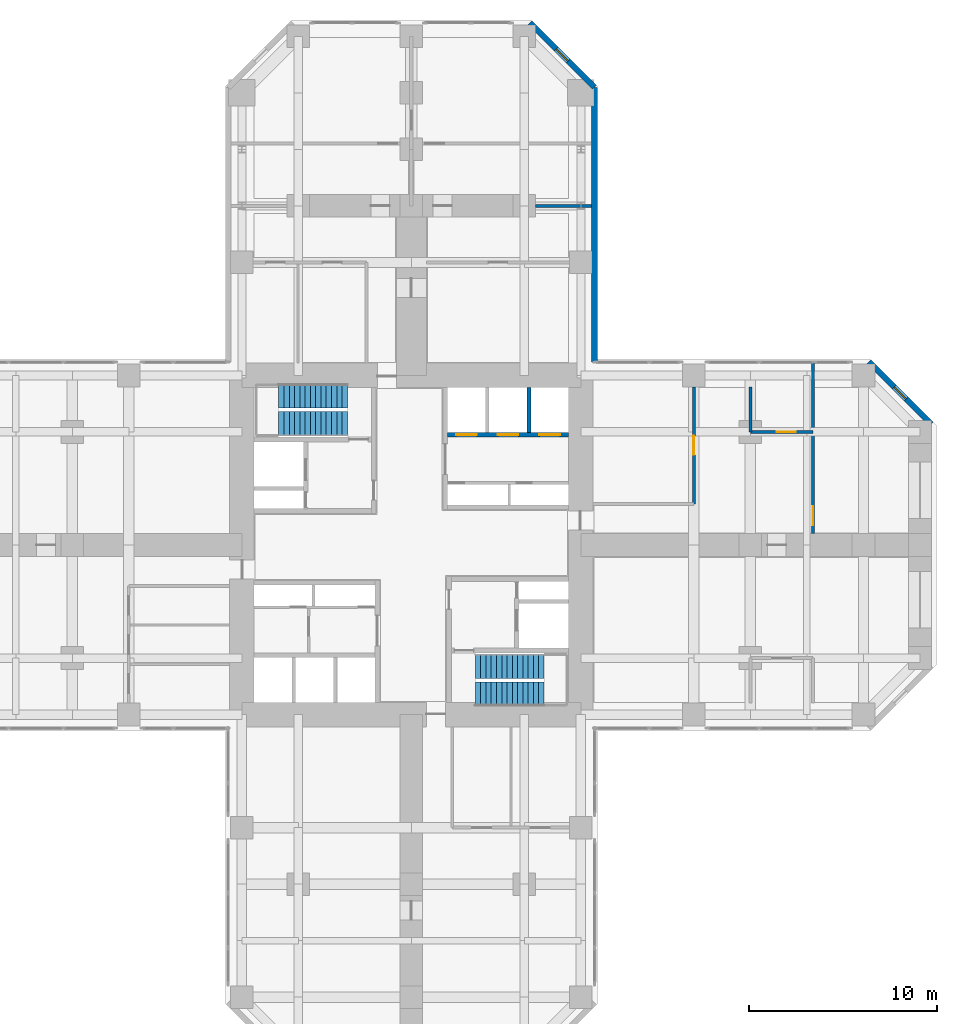
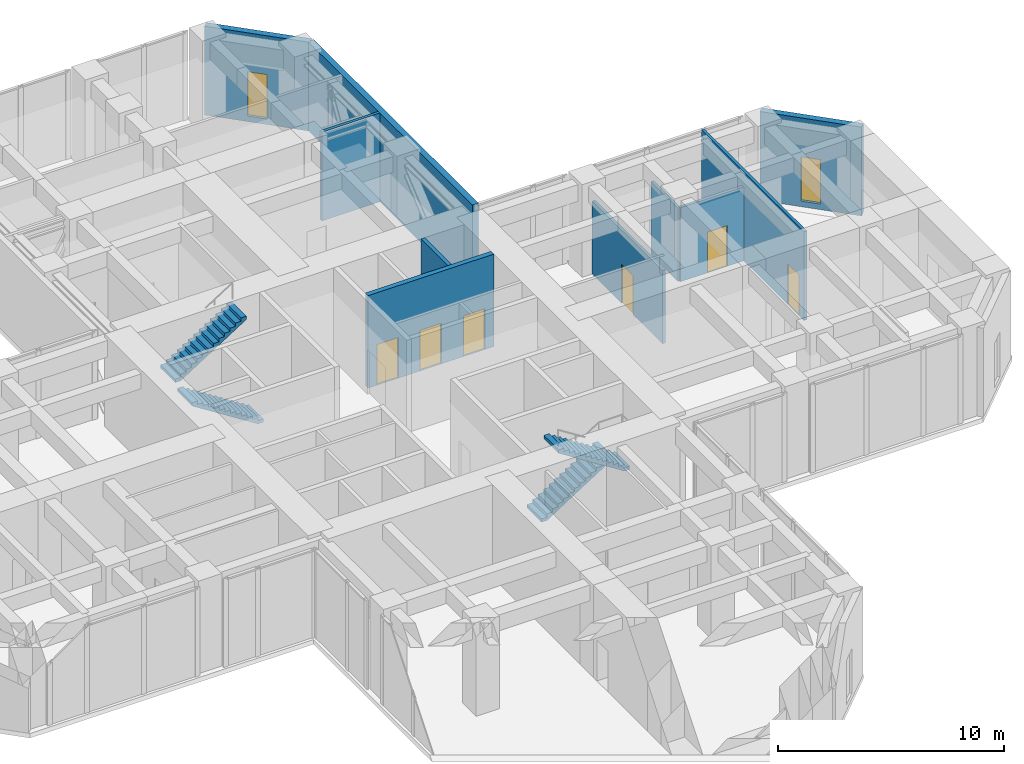
# One storey, part 10 of 11: 10 walls, 6 doors, 4 stair flights, 2 windows, 8 openings, 2 elements without a shape of their own.
"""IFC4 building model written with IfcOpenShell, lengths in metres."""

from ifc_helpers import new_model, si_unit, direction, frame, frame_2d, origin, place, context, subcontext, project, spatial, polyline, rectangle, hollow_rectangle, outline, extrude, material, layer, layer_set, constituent, constituent_set, type_object, element, fill, aggregate, save


model = new_model("IFC4")

# Units and contexts
model_context = context("Model", 3, precision=1e-05, world=origin(), true_north=direction((0.0, 1.0)))
body_context = subcontext(model_context, "Body", "Model", "MODEL_VIEW")
ifc_project = project(units=[si_unit("LENGTHUNIT", "METRE"), si_unit("AREAUNIT", "SQUARE_METRE"), si_unit("VOLUMEUNIT", "CUBIC_METRE"), si_unit("PLANEANGLEUNIT", "RADIAN"), si_unit("MASSUNIT", "GRAM", prefix="KILO")], contexts=[model_context])

# Site, building, storey
site_placement = place(None, origin())
site = spatial("IfcSite", under=ifc_project, at=site_placement, CompositionType="ELEMENT")
building_placement = place(site_placement, origin())
building = spatial("IfcBuilding", under=site, at=building_placement, Name="Torre Cruceta", CompositionType="ELEMENT")
storey_placement = place(building_placement, frame((0.0, 0.0, 95.5)))
storey = spatial("IfcBuildingStorey", under=building, at=storey_placement, Name="L23", CompositionType="ELEMENT", Elevation=95.5)

# Wall, openings, doors
ifc_material_1 = material(Name="Concrete G60 (fck 60 MPa)", Category="concrete")
ifc_layer_1 = layer(ifc_material_1, 0.25)
ifc_layer_set_1 = layer_set([ifc_layer_1], Name="Concrete G60 (fck 60 MPa)")
wall_type_1 = type_object("IfcWallType", Name="CORE INNER WALL 250 G60", PredefinedType="SHEAR", material=ifc_layer_set_1)
wall_1_placement = place(storey_placement, frame((1.925048828125, 5.85009765625, 0.0), z_axis=(0.0, 0.0, 1.0), x_axis=(1.0, 0.0, 0.0)))
wall_1 = element("IfcWall", 1, at=wall_1_placement, inside=storey, type_object=wall_type_1, Name="CW4 L23 NE-LV", PredefinedType="SHEAR", context=body_context, shape_type="SweptSolid", body=[
    extrude(rectangle(XDim=6.425048828125, YDim=0.25, at=frame_2d((3.21240234375, 0.0))), origin(), (0.0, 0.0, 1.0), 5.0),
])
opening_1_placement = place(wall_1_placement, frame((0.4541015625, 0.0, 0.0)))
opening_1 = element("IfcOpeningElement", 2, at=opening_1_placement, cuts=wall_1, Name="Opening LD1", PredefinedType="OPENING", context=body_context, shape_type="SweptSolid", body=[
    extrude(rectangle(XDim=1.10009765625, YDim=2.199951171875, at=frame_2d((0.550048828125, 1.10009765625))), frame((0.0, 0.135009765625, 0.0), z_axis=(0.0, -1.0, 0.0), x_axis=(1.0, 0.0, 0.0)), (0.0, 0.0, 1.0), 0.27001953125),
])
opening_2_placement = place(wall_1_placement, frame((2.66259765625, 0.0, 0.0)))
opening_2 = element("IfcOpeningElement", 3, at=opening_2_placement, cuts=wall_1, Name="Opening LD1", PredefinedType="OPENING", context=body_context, shape_type="SweptSolid", body=[
    extrude(rectangle(XDim=1.10009765625, YDim=2.199951171875, at=frame_2d((0.550048828125, 1.10009765625))), frame((0.0, 0.135009765625, 0.0), z_axis=(0.0, -1.0, 0.0), x_axis=(1.0, 0.0, 0.0)), (0.0, 0.0, 1.0), 0.27001953125),
])
opening_3_placement = place(wall_1_placement, frame((4.870849609375, 0.0, 0.0)))
opening_3 = element("IfcOpeningElement", 4, at=opening_3_placement, cuts=wall_1, Name="Opening LD1", PredefinedType="OPENING", context=body_context, shape_type="SweptSolid", body=[
    extrude(rectangle(XDim=1.10009765625, YDim=2.199951171875, at=frame_2d((0.550048828125, 1.10009765625))), frame((0.0, 0.135009765625, 0.0), z_axis=(0.0, -1.0, 0.0), x_axis=(1.0, 0.0, 0.0)), (0.0, 0.0, 1.0), 0.27001953125),
])
ifc_material_2 = material(Name="Stainless steel 1.4401", Category="steel")
door_type_1 = type_object("IfcDoorType", Name="LIFT LANDING DOOR 1100X2200", OperationType="DOUBLE_DOOR_SLIDING", PredefinedType="DOOR", material=ifc_material_2)
door_1_placement = place(opening_1_placement, origin())
door_1 = element("IfcDoor", 5, at=door_1_placement, inside=storey, type_object=door_type_1, Name="Lift landing door P1", OperationType="DOUBLE_DOOR_SLIDING", OverallHeight=2.199951171875, OverallWidth=1.10009765625, PredefinedType="DOOR", context=body_context, shape_type="SweptSolid", body=[
    extrude(rectangle(XDim=1.10009765625, YDim=2.199951171875, at=frame_2d((0.550048828125, 1.10009765625))), frame((0.0, 0.02490234375, 0.0), z_axis=(0.0, -1.0, 0.0), x_axis=(1.0, 0.0, 0.0)), (0.0, 0.0, 1.0), 0.050048828125),
])
fill(opening_1, door_1)
door_2_placement = place(opening_2_placement, origin())
door_2 = element("IfcDoor", 6, at=door_2_placement, inside=storey, type_object=door_type_1, Name="Lift landing door P2", OperationType="DOUBLE_DOOR_SLIDING", OverallHeight=2.199951171875, OverallWidth=1.10009765625, PredefinedType="DOOR", context=body_context, shape_type="SweptSolid", body=[
    extrude(rectangle(XDim=1.10009765625, YDim=2.199951171875, at=frame_2d((0.550048828125, 1.10009765625))), frame((0.0, 0.02490234375, 0.0), z_axis=(0.0, -1.0, 0.0), x_axis=(1.0, 0.0, 0.0)), (0.0, 0.0, 1.0), 0.050048828125),
])
fill(opening_2, door_2)
door_3_placement = place(opening_3_placement, origin())
door_3 = element("IfcDoor", 7, at=door_3_placement, inside=storey, type_object=door_type_1, Name="Lift landing door P3", OperationType="DOUBLE_DOOR_SLIDING", OverallHeight=2.199951171875, OverallWidth=1.10009765625, PredefinedType="DOOR", context=body_context, shape_type="SweptSolid", body=[
    extrude(rectangle(XDim=1.10009765625, YDim=2.199951171875, at=frame_2d((0.550048828125, 1.10009765625))), frame((0.0, 0.02490234375, 0.0), z_axis=(0.0, -1.0, 0.0), x_axis=(1.0, 0.0, 0.0)), (0.0, 0.0, 1.0), 0.050048828125),
])
fill(opening_3, door_3)

# Wall, opening, window
ifc_material_3 = material(Name="Concrete G30 (fck 30 MPa)", Category="concrete")
ifc_layer_2 = layer(ifc_material_3, 0.300048828125)
ifc_layer_set_2 = layer_set([ifc_layer_2], Name="Concrete G30 (fck 30 MPa)")
wall_type_2 = type_object("IfcWallType", Name="EXPOSED CONCRETE FACADE WALL 300", PredefinedType="SOLIDWALL", material=ifc_layer_set_2)
wall_2_placement = place(storey_placement, frame((27.60009765625, 6.418212890625, 0.0), z_axis=(0.0, 0.0, 1.0), x_axis=(-0.707106781187, 0.707106781187, 0.0)))
wall_2 = element("IfcWall", 8, at=wall_2_placement, inside=storey, type_object=wall_type_2, Name="EW1 facade wall L23 E chamfer 03", PredefinedType="SOLIDWALL", context=body_context, shape_type="SweptSolid", body=[
    extrude(rectangle(XDim=4.66943359375, YDim=0.300048828125, at=frame_2d((2.334716796875, 0.0))), origin(), (0.0, 0.0, 1.0), 4.800048828125),
])
opening_4_placement = place(wall_2_placement, frame((1.884765625, 0.0, 0.300048828125)))
opening_4 = element("IfcOpeningElement", 9, at=opening_4_placement, cuts=wall_2, Name="Opening WN5", PredefinedType="OPENING", context=body_context, shape_type="SweptSolid", body=[
    extrude(rectangle(XDim=0.89990234375, YDim=2.39990234375, at=frame_2d((0.449951171875, 1.199951171875))), frame((0.0, 0.159912109375, 0.0), z_axis=(0.0, -1.0, 0.0), x_axis=(1.0, 0.0, 0.0)), (0.0, 0.0, 1.0), 0.320068359375),
])
ifc_material_4 = material(Name="Aluminium window frame", Category="aluminium")
ifc_constituent_1 = constituent(ifc_material_4, Name="Frame")
ifc_material_5 = material(Name="Laminated insulating glass unit, low-iron clear", Category="glass")
ifc_constituent_2 = constituent(ifc_material_5, Name="Glazing")
ifc_constituent_set_1 = constituent_set(constituents=[ifc_constituent_1, ifc_constituent_2], Name="Aluminium window")
window_type = type_object("IfcWindowType", Name="CHAMFER SLOT WINDOW 900X2400", PartitioningType="SINGLE_PANEL", PredefinedType="WINDOW", material=ifc_constituent_set_1)
window_1_placement = place(opening_4_placement, origin())
window_1 = element("IfcWindow", 10, at=window_1_placement, inside=storey, type_object=window_type, Name="WN5 L23 E 1", OverallHeight=2.39990234375, OverallWidth=0.89990234375, PartitioningType="SINGLE_PANEL", PredefinedType="WINDOW", context=body_context, shape_type="SweptSolid", body=[
    extrude(hollow_rectangle(XDim=0.89990234375, YDim=2.39990234375, WallThickness=0.06005859375, at=frame_2d((0.449951171875, 1.199951171875))), frame((0.0, 0.030029296875, 0.0), z_axis=(0.0, -1.0, 0.0), x_axis=(1.0, 0.0, 0.0)), (0.0, 0.0, 1.0), 0.06005859375),
    extrude(rectangle(XDim=0.77880859375, YDim=2.27880859375, at=frame_2d((0.449951171875, 1.199951171875))), frame((0.0, 0.030029296875, 0.0), z_axis=(0.0, -1.0, 0.0), x_axis=(1.0, 0.0, 0.0)), (0.0, 0.0, 1.0), 0.06005859375),
])
fill(opening_4, window_1)

# Wall
wall_3_placement = place(storey_placement, frame((9.719970703125, 9.719970703125, 0.0), z_axis=(0.0, 0.0, 1.0), x_axis=(0.0, 1.0, 0.0)))
element("IfcWall", 11, at=wall_3_placement, inside=storey, type_object=wall_type_2, Name="EW1 facade wall L23 N side 05", PredefinedType="SOLIDWALL", context=body_context, shape_type="SweptSolid", body=[
    extrude(rectangle(XDim=14.578369140625, YDim=0.300048828125, at=frame_2d((7.2890625, 0.0))), origin(), (0.0, 0.0, 1.0), 4.800048828125),
])

# Wall, opening, window
wall_4_placement = place(storey_placement, frame((9.719970703125, 24.29833984375, 0.0), z_axis=(0.0, 0.0, 1.0), x_axis=(-0.707106781187, 0.707106781187, 0.0)))
wall_4 = element("IfcWall", 12, at=wall_4_placement, inside=storey, type_object=wall_type_2, Name="EW1 facade wall L23 N chamfer 06", PredefinedType="SOLIDWALL", context=body_context, shape_type="SweptSolid", body=[
    extrude(rectangle(XDim=4.8388671875, YDim=0.300048828125, at=frame_2d((2.41943359375, 0.0))), origin(), (0.0, 0.0, 1.0), 4.800048828125),
])
opening_5_placement = place(wall_4_placement, frame((1.969482421875, 0.0, 0.300048828125)))
opening_5 = element("IfcOpeningElement", 13, at=opening_5_placement, cuts=wall_4, Name="Opening WN5", PredefinedType="OPENING", context=body_context, shape_type="SweptSolid", body=[
    extrude(rectangle(XDim=0.89990234375, YDim=2.39990234375, at=frame_2d((0.449951171875, 1.199951171875))), frame((0.0, 0.159912109375, 0.0), z_axis=(0.0, -1.0, 0.0), x_axis=(1.0, 0.0, 0.0)), (0.0, 0.0, 1.0), 0.320068359375),
])
window_2_placement = place(opening_5_placement, origin())
window_2 = element("IfcWindow", 14, at=window_2_placement, inside=storey, type_object=window_type, Name="WN5 L23 N 1", OverallHeight=2.39990234375, OverallWidth=0.89990234375, PartitioningType="SINGLE_PANEL", PredefinedType="WINDOW", context=body_context, shape_type="SweptSolid", body=[
    extrude(hollow_rectangle(XDim=0.89990234375, YDim=2.39990234375, WallThickness=0.06005859375, at=frame_2d((0.449951171875, 1.199951171875))), frame((0.0, 0.030029296875, 0.0), z_axis=(0.0, -1.0, 0.0), x_axis=(1.0, 0.0, 0.0)), (0.0, 0.0, 1.0), 0.06005859375),
    extrude(rectangle(XDim=0.77880859375, YDim=2.27880859375, at=frame_2d((0.449951171875, 1.199951171875))), frame((0.0, 0.030029296875, 0.0), z_axis=(0.0, -1.0, 0.0), x_axis=(1.0, 0.0, 0.0)), (0.0, 0.0, 1.0), 0.06005859375),
])
fill(opening_5, window_2)

# Walls
ifc_material_6 = material(Name="Concrete G35 (fck 35 MPa)", Category="concrete")
ifc_layer_3 = layer(ifc_material_6, 0.199951171875)
ifc_layer_set_3 = layer_set([ifc_layer_3], Name="Concrete G35 (fck 35 MPa)")
wall_type_3 = type_object("IfcWallType", Name="LIFT SHAFT WALL 200", PredefinedType="PARTITIONING", material=ifc_layer_set_3)
wall_5_placement = place(storey_placement, frame((6.24169921875, 5.97509765625, 0.0), z_axis=(0.0, 0.0, 1.0), x_axis=(0.0, 1.0, 0.0)))
element("IfcWall", 15, at=wall_5_placement, inside=storey, type_object=wall_type_3, Name="SW1 L23 NE-LS2", PredefinedType="PARTITIONING", context=body_context, shape_type="SweptSolid", body=[
    extrude(rectangle(XDim=2.375, YDim=0.199951171875, at=frame_2d((1.1875, 0.0))), origin(), (0.0, 0.0, 1.0), 5.0),
])
ifc_material_7 = material(Name="Plasterboard on steel studs", Category="steel")
ifc_layer_4 = layer(ifc_material_7, 0.14990234375)
ifc_layer_set_4 = layer_set([ifc_layer_4], Name="Plasterboard on steel studs")
wall_type_4 = type_object("IfcWallType", Name="PARTITION 150", PredefinedType="PARTITIONING", material=ifc_layer_set_4)
wall_6_placement = place(storey_placement, frame((9.570068359375, 18.0, 0.0), z_axis=(0.0, 0.0, 1.0), x_axis=(-1.0, 0.0, 0.0)))
element("IfcWall", 16, at=wall_6_placement, inside=storey, type_object=wall_type_4, Name="PT1 L23-N-BXR1", PredefinedType="PARTITIONING", context=body_context, shape_type="SweptSolid", body=[
    extrude(rectangle(XDim=2.969970703125, YDim=0.14990234375, at=frame_2d((1.48486328125, 0.0))), origin(), (0.0, 0.0, 1.0), 4.800048828125),
])

# Wall, opening, door
wall_7_placement = place(storey_placement, frame((21.320068359375, 0.60009765625, 0.0), z_axis=(0.0, 0.0, 1.0), x_axis=(0.0, 1.0, 0.0)))
wall_7 = element("IfcWall", 17, at=wall_7_placement, inside=storey, type_object=wall_type_4, Name="PT1 L23-E-TWL", PredefinedType="PARTITIONING", context=body_context, shape_type="SweptSolid", body=[
    extrude(rectangle(XDim=9.079833984375, YDim=0.14990234375, at=frame_2d((4.5400390625, 0.0))), origin(), (0.0, 0.0, 1.0), 4.800048828125),
])
opening_6_placement = place(wall_7_placement, frame((0.449951171875, 0.0, 0.0)))
opening_6 = element("IfcOpeningElement", 18, at=opening_6_placement, cuts=wall_7, Name="Opening D14", PredefinedType="OPENING", context=body_context, shape_type="SweptSolid", body=[
    extrude(rectangle(XDim=1.0, YDim=2.199951171875, at=frame_2d((0.5, 1.10009765625))), frame((0.0, 0.0849609375, 0.0), z_axis=(0.0, -1.0, 0.0), x_axis=(1.0, 0.0, 0.0)), (0.0, 0.0, 1.0), 0.169921875),
])
ifc_material_8 = material(Name="Steel DX51D", Category="steel")
ifc_constituent_3 = constituent(ifc_material_8, Name="Leaf and frame")
ifc_material_9 = material(Name="Polyester powder coating", Category="paint")
ifc_constituent_4 = constituent(ifc_material_9, Name="Finish")
ifc_material_10 = material(Name="Fire-resisting glass", Category="glass")
ifc_constituent_5 = constituent(ifc_material_10, Name="Vision panel")
ifc_constituent_set_2 = constituent_set(constituents=[ifc_constituent_3, ifc_constituent_4, ifc_constituent_5], Name="Steel fire door with vision panel")
door_type_2 = type_object("IfcDoorType", Name="FIRE DOOR VISION PANEL 1000X2200", OperationType="SINGLE_SWING_RIGHT", PredefinedType="DOOR", material=ifc_constituent_set_2)
door_4_placement = place(opening_6_placement, frame((1.0, 0.0, 0.0), z_axis=(0.0, 0.0, 1.0), x_axis=(-1.0, 0.0, 0.0)))
door_4 = element("IfcDoor", 19, at=door_4_placement, inside=storey, type_object=door_type_2, Name="D14 L23-E-TWL-D1", OperationType="SINGLE_SWING_RIGHT", OverallHeight=2.199951171875, OverallWidth=1.0, PredefinedType="DOOR", context=body_context, shape_type="SweptSolid", body=[
    extrude(rectangle(XDim=1.0, YDim=2.199951171875, at=frame_2d((0.5, 1.10009765625))), frame((0.0, 0.025146484375, 0.0), z_axis=(0.0, -1.0, 0.0), x_axis=(1.0, 0.0, 0.0)), (0.0, 0.0, 1.0), 0.050048828125),
])
fill(opening_6, door_4)

wall_8_placement = place(storey_placement, frame((15.0, 2.175048828125, 0.0), z_axis=(0.0, 0.0, 1.0), x_axis=(0.0, 1.0, 0.0)))
wall_8 = element("IfcWall", 20, at=wall_8_placement, inside=storey, type_object=wall_type_4, Name="PT1 L23-E-BFL", PredefinedType="PARTITIONING", context=body_context, shape_type="SweptSolid", body=[
    extrude(rectangle(XDim=6.224853515625, YDim=0.14990234375, at=frame_2d((3.1123046875, 0.0))), origin(), (0.0, 0.0, 1.0), 3.949951171875),
])
opening_7_placement = place(wall_8_placement, frame((2.612548828125, 0.0, 0.0)))
opening_7 = element("IfcOpeningElement", 21, at=opening_7_placement, cuts=wall_8, Name="Opening D3", PredefinedType="OPENING", context=body_context, shape_type="SweptSolid", body=[
    extrude(rectangle(XDim=1.0, YDim=2.10009765625, at=frame_2d((0.5, 1.050048828125))), frame((0.0, 0.0849609375, 0.0), z_axis=(0.0, -1.0, 0.0), x_axis=(1.0, 0.0, 0.0)), (0.0, 0.0, 1.0), 0.169921875),
])
ifc_material_11 = material(Name="Steel DX51D", Category="steel")
ifc_constituent_6 = constituent(ifc_material_11, Name="Leaf and frame")
ifc_material_12 = material(Name="Polyester powder coating", Category="paint")
ifc_constituent_7 = constituent(ifc_material_12, Name="Finish")
ifc_constituent_set_3 = constituent_set(constituents=[ifc_constituent_6, ifc_constituent_7], Name="Steel fire door")
door_type_3 = type_object("IfcDoorType", Name="FIRE DOOR 1000X2100", OperationType="SINGLE_SWING_LEFT", PredefinedType="DOOR", material=ifc_constituent_set_3)
door_5_placement = place(opening_7_placement, origin())
door_5 = element("IfcDoor", 22, at=door_5_placement, inside=storey, type_object=door_type_3, Name="D3 L23-E-BFL-D1", OperationType="SINGLE_SWING_LEFT", OverallHeight=2.10009765625, OverallWidth=1.0, PredefinedType="DOOR", context=body_context, shape_type="SweptSolid", body=[
    extrude(rectangle(XDim=1.0, YDim=2.10009765625, at=frame_2d((0.5, 1.050048828125))), frame((0.0, 0.02490234375, 0.0), z_axis=(0.0, -1.0, 0.0), x_axis=(1.0, 0.0, 0.0)), (0.0, 0.0, 1.0), 0.050048828125),
])
fill(opening_7, door_5)

wall_9_placement = place(storey_placement, frame((18.0, 6.0, 0.0), z_axis=(0.0, 0.0, 1.0), x_axis=(1.0, 0.0, 0.0)))
wall_9 = element("IfcWall", 23, at=wall_9_placement, inside=storey, type_object=wall_type_4, Name="PT1 L23-E-SRW", PredefinedType="PARTITIONING", context=body_context, shape_type="SweptSolid", body=[
    extrude(rectangle(XDim=3.320068359375, YDim=0.14990234375, at=frame_2d((1.66015625, 0.0))), origin(), (0.0, 0.0, 1.0), 4.0),
])
opening_8_placement = place(wall_9_placement, frame((1.39990234375, 0.0, 0.0)))
opening_8 = element("IfcOpeningElement", 24, at=opening_8_placement, cuts=wall_9, Name="Opening D14", PredefinedType="OPENING", context=body_context, shape_type="SweptSolid", body=[
    extrude(rectangle(XDim=1.0, YDim=2.199951171875, at=frame_2d((0.5, 1.10009765625))), frame((0.0, 0.0849609375, 0.0), z_axis=(0.0, -1.0, 0.0), x_axis=(1.0, 0.0, 0.0)), (0.0, 0.0, 1.0), 0.169921875),
])
door_6_placement = place(opening_8_placement, origin())
door_6 = element("IfcDoor", 25, at=door_6_placement, inside=storey, type_object=door_type_2, Name="D14 L23-E-SRW-D1", OperationType="SINGLE_SWING_RIGHT", OverallHeight=2.199951171875, OverallWidth=1.0, PredefinedType="DOOR", context=body_context, shape_type="SweptSolid", body=[
    extrude(rectangle(XDim=1.0, YDim=2.199951171875, at=frame_2d((0.5, 1.10009765625))), frame((0.0, 0.02490234375, 0.0), z_axis=(0.0, -1.0, 0.0), x_axis=(1.0, 0.0, 0.0)), (0.0, 0.0, 1.0), 0.050048828125),
])
fill(opening_8, door_6)

# Wall
wall_10_placement = place(storey_placement, frame((18.0, 6.0, 0.0), z_axis=(0.0, 0.0, 1.0), x_axis=(0.0, 1.0, 0.0)))
element("IfcWall", 26, at=wall_10_placement, inside=storey, type_object=wall_type_4, Name="PT1 L23-E-SRE1", PredefinedType="PARTITIONING", context=body_context, shape_type="SweptSolid", body=[
    extrude(rectangle(XDim=2.39990234375, YDim=0.14990234375, at=frame_2d((1.199951171875, 0.0))), origin(), (0.0, 0.0, 1.0), 3.949951171875),
])

# Stair, stair flights
ifc_material_13 = material(Name="Concrete G30 (fck 30 MPa)", Category="concrete")
stair_type = type_object("IfcStairType", Name="STAIR HALF-TURN 1300", PredefinedType="HALF_TURN_STAIR", material=ifc_material_13)
stair_1_placement = place(storey_placement, origin())
stair_1 = element("IfcStair", 27, at=stair_1_placement, inside=storey, type_object=stair_type, Name="Stair ST1 L23", PredefinedType="HALF_TURN_STAIR")
ifc_material_14 = material(Name="Concrete G30 (fck 30 MPa)", Category="concrete")
stair_flight_type = type_object("IfcStairFlightType", Name="STAIR FLIGHT 1300", PredefinedType="STRAIGHT", material=ifc_material_14)
stair_flight_1_placement = place(storey_placement, frame((-3.39990234375, 6.425048828125, 0.0), z_axis=(0.0, 0.0, 1.0), x_axis=(-1.0, 0.0, 0.0)))
stair_flight_1 = element("IfcStairFlight", 28, at=stair_flight_1_placement, type_object=stair_flight_type, Name="ST1 flight 1", NumberOfRisers=14, NumberOfTreads=13, PredefinedType="STRAIGHT", RiserHeight=0.178571429, TreadLength=0.28, context=body_context, shape_type="SweptSolid", body=[
    extrude(outline(polyline([(0.0, 0.0), (0.0, 0.178466796875), (0.280029296875, 0.178466796875), (0.280029296875, 0.357177734375), (0.56005859375, 0.357177734375), (0.56005859375, 0.53564453125), (0.840087890625, 0.53564453125), (0.840087890625, 0.71435546875), (1.1201171875, 0.71435546875), (1.1201171875, 0.892822265625), (1.39990234375, 0.892822265625), (1.39990234375, 1.071533203125), (1.679931640625, 1.071533203125), (1.679931640625, 1.25), (1.9599609375, 1.25), (1.9599609375, 1.428466796875), (2.239990234375, 1.428466796875), (2.239990234375, 1.607177734375), (2.52001953125, 1.607177734375), (2.52001953125, 1.78564453125), (2.800048828125, 1.78564453125), (2.800048828125, 1.96435546875), (3.080078125, 1.96435546875), (3.080078125, 2.142822265625), (3.360107421875, 2.142822265625), (3.360107421875, 2.321533203125), (3.639892578125, 2.321533203125), (3.639892578125, 2.5), (3.639892578125, 2.1435546875), (0.27880859375, 0.0), (0.0, 0.0)])), frame((0.0, 0.64990234375, 0.0), z_axis=(0.0, -1.0, 0.0), x_axis=(1.0, 0.0, 0.0)), (0.0, 0.0, 1.0), 1.300048828125),
])
stair_flight_2_placement = place(storey_placement, frame((-7.0400390625, 7.925048828125, 2.5), z_axis=(0.0, 0.0, 1.0), x_axis=(1.0, 0.0, 0.0)))
stair_flight_2 = element("IfcStairFlight", 29, at=stair_flight_2_placement, type_object=stair_flight_type, Name="ST1 flight 2", NumberOfRisers=14, NumberOfTreads=13, PredefinedType="STRAIGHT", RiserHeight=0.178571429, TreadLength=0.28, context=body_context, shape_type="SweptSolid", body=[
    extrude(outline(polyline([(0.0, 0.0), (0.0, 0.178466796875), (0.280029296875, 0.178466796875), (0.280029296875, 0.357177734375), (0.56005859375, 0.357177734375), (0.56005859375, 0.53564453125), (0.840087890625, 0.53564453125), (0.840087890625, 0.71435546875), (1.1201171875, 0.71435546875), (1.1201171875, 0.892822265625), (1.39990234375, 0.892822265625), (1.39990234375, 1.071533203125), (1.679931640625, 1.071533203125), (1.679931640625, 1.25), (1.9599609375, 1.25), (1.9599609375, 1.428466796875), (2.239990234375, 1.428466796875), (2.239990234375, 1.607177734375), (2.52001953125, 1.607177734375), (2.52001953125, 1.78564453125), (2.800048828125, 1.78564453125), (2.800048828125, 1.96435546875), (3.080078125, 1.96435546875), (3.080078125, 2.142822265625), (3.360107421875, 2.142822265625), (3.360107421875, 2.321533203125), (3.639892578125, 2.321533203125), (3.639892578125, 2.5), (3.639892578125, 2.1435546875), (0.27880859375, 0.0), (0.0, 0.0)])), frame((0.0, 0.64990234375, 0.0), z_axis=(0.0, -1.0, 0.0), x_axis=(1.0, 0.0, 0.0)), (0.0, 0.0, 1.0), 1.300048828125),
])
aggregate(stair_1, [stair_flight_1, stair_flight_2])

stair_2_placement = place(storey_placement, origin())
stair_2 = element("IfcStair", 30, at=stair_2_placement, inside=storey, type_object=stair_type, Name="Stair ST2 L23", PredefinedType="HALF_TURN_STAIR")
stair_flight_3_placement = place(storey_placement, frame((3.39990234375, -6.425048828125, 0.0), z_axis=(0.0, 0.0, 1.0), x_axis=(1.0, 0.0, 0.0)))
stair_flight_3 = element("IfcStairFlight", 31, at=stair_flight_3_placement, type_object=stair_flight_type, Name="ST2 flight 1", NumberOfRisers=14, NumberOfTreads=13, PredefinedType="STRAIGHT", RiserHeight=0.178571429, TreadLength=0.28, context=body_context, shape_type="SweptSolid", body=[
    extrude(outline(polyline([(0.0, 0.0), (0.0, 0.178466796875), (0.280029296875, 0.178466796875), (0.280029296875, 0.357177734375), (0.56005859375, 0.357177734375), (0.56005859375, 0.53564453125), (0.840087890625, 0.53564453125), (0.840087890625, 0.71435546875), (1.1201171875, 0.71435546875), (1.1201171875, 0.892822265625), (1.39990234375, 0.892822265625), (1.39990234375, 1.071533203125), (1.679931640625, 1.071533203125), (1.679931640625, 1.25), (1.9599609375, 1.25), (1.9599609375, 1.428466796875), (2.239990234375, 1.428466796875), (2.239990234375, 1.607177734375), (2.52001953125, 1.607177734375), (2.52001953125, 1.78564453125), (2.800048828125, 1.78564453125), (2.800048828125, 1.96435546875), (3.080078125, 1.96435546875), (3.080078125, 2.142822265625), (3.360107421875, 2.142822265625), (3.360107421875, 2.321533203125), (3.639892578125, 2.321533203125), (3.639892578125, 2.5), (3.639892578125, 2.1435546875), (0.27880859375, 0.0), (0.0, 0.0)])), frame((0.0, 0.64990234375, 0.0), z_axis=(0.0, -1.0, 0.0), x_axis=(1.0, 0.0, 0.0)), (0.0, 0.0, 1.0), 1.300048828125),
])
stair_flight_4_placement = place(storey_placement, frame((7.0400390625, -7.925048828125, 2.5), z_axis=(0.0, 0.0, 1.0), x_axis=(-1.0, 0.0, 0.0)))
stair_flight_4 = element("IfcStairFlight", 32, at=stair_flight_4_placement, type_object=stair_flight_type, Name="ST2 flight 2", NumberOfRisers=14, NumberOfTreads=13, PredefinedType="STRAIGHT", RiserHeight=0.178571429, TreadLength=0.28, context=body_context, shape_type="SweptSolid", body=[
    extrude(outline(polyline([(0.0, 0.0), (0.0, 0.178466796875), (0.280029296875, 0.178466796875), (0.280029296875, 0.357177734375), (0.56005859375, 0.357177734375), (0.56005859375, 0.53564453125), (0.840087890625, 0.53564453125), (0.840087890625, 0.71435546875), (1.1201171875, 0.71435546875), (1.1201171875, 0.892822265625), (1.39990234375, 0.892822265625), (1.39990234375, 1.071533203125), (1.679931640625, 1.071533203125), (1.679931640625, 1.25), (1.9599609375, 1.25), (1.9599609375, 1.428466796875), (2.239990234375, 1.428466796875), (2.239990234375, 1.607177734375), (2.52001953125, 1.607177734375), (2.52001953125, 1.78564453125), (2.800048828125, 1.78564453125), (2.800048828125, 1.96435546875), (3.080078125, 1.96435546875), (3.080078125, 2.142822265625), (3.360107421875, 2.142822265625), (3.360107421875, 2.321533203125), (3.639892578125, 2.321533203125), (3.639892578125, 2.5), (3.639892578125, 2.1435546875), (0.27880859375, 0.0), (0.0, 0.0)])), frame((0.0, 0.64990234375, 0.0), z_axis=(0.0, -1.0, 0.0), x_axis=(1.0, 0.0, 0.0)), (0.0, 0.0, 1.0), 1.300048828125),
])
aggregate(stair_2, [stair_flight_3, stair_flight_4])

save(model, "model.ifc")
